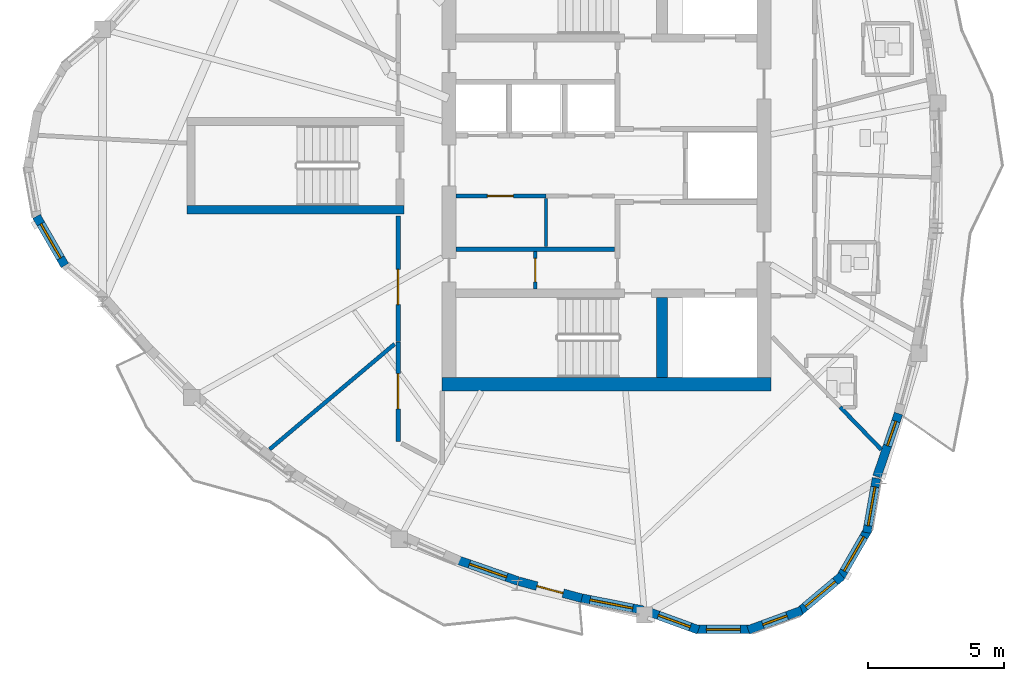
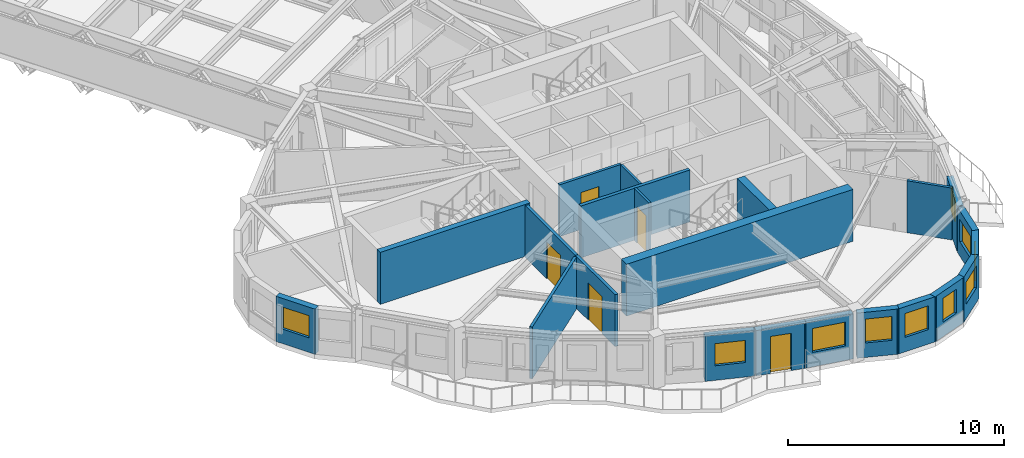
# One storey, part 5 of 14: 22 walls, 10 windows, 5 doors, 15 openings.
"""IFC4 building model written with IfcOpenShell, lengths in metres."""

import ifcopenshell
import ifcopenshell.guid

model = None  # the IFC model being written
_history = None  # IfcOwnerHistory: only IFC2X3 demands one
_inside = {}  # id of a spatial element -> (the spatial element, [elements in it])
_under = {}  # id of a project, library or spatial element -> (it, [spatial elements below it])
_declared = {}  # id of a project -> (the project, [libraries it declares])
_typed = {}  # id of a type object -> (the type object, [elements of that type])
_made_of = {}  # id of a material, layer set ... -> (it, [elements and type objects made of it])


def new_model(schema):
    """Start an empty IFC model of exactly this schema.

    Asked for "IFC4X3", IfcOpenShell would pick the latest addendum, in which some entities
    have other attributes; the version numbers below select the first issue.
    IFC2X3 requires an IfcOwnerHistory on every rooted entity: one is made here for all.
    """
    global model, _history
    if schema == "IFC4X3":
        model = ifcopenshell.file(schema_version=(4, 3, 0, 0))
    else:
        model = ifcopenshell.file(schema=schema)
    _inside.clear()
    _under.clear()
    _declared.clear()
    _typed.clear()
    _made_of.clear()
    _history = None
    if model.schema == "IFC2X3":
        org = make("IfcOrganization", Name="unknown")
        user = make(
            "IfcPersonAndOrganization",
            ThePerson=make("IfcPerson", FamilyName="unknown"),
            TheOrganization=org,
        )
        app = make(
            "IfcApplication",
            ApplicationDeveloper=org,
            Version="unknown",
            ApplicationFullName="unknown",
            ApplicationIdentifier="unknown",
        )
        _history = make(
            "IfcOwnerHistory",
            OwningUser=user,
            OwningApplication=app,
            ChangeAction="ADDED",
            CreationDate=0,
        )
    return model


def make(cls, **values):
    """One entity of the class cls with the attributes given. An attribute that is None is left unset."""
    return model.create_entity(
        cls, **{name: value for name, value in values.items() if value is not None}
    )


def rooted(cls, **values):
    """An entity with a GlobalId (a new one), such as an element, a storey or a relation."""
    return make(cls, GlobalId=ifcopenshell.guid.new(), OwnerHistory=_history, **values)


def si_unit(unit_type, name, prefix=None):
    """IfcSIUnit, for example si_unit("LENGTHUNIT", "METRE", prefix="MILLI")."""
    return make("IfcSIUnit", UnitType=unit_type, Prefix=prefix, Name=name)


def assignment(units):
    """IfcUnitAssignment: the units of a project."""
    return None if units is None else make("IfcUnitAssignment", Units=units)


def point(xyz):
    """IfcCartesianPoint."""
    return None if xyz is None else make("IfcCartesianPoint", Coordinates=xyz)


def direction(xyz):
    """IfcDirection."""
    return None if xyz is None else make("IfcDirection", DirectionRatios=xyz)


def frame(location, z_axis=None, x_axis=None):
    """IfcAxis2Placement3D, a coordinate frame: its origin and axes. An axis left out is left unset."""
    return make(
        "IfcAxis2Placement3D",
        Location=point(location),
        Axis=direction(z_axis),
        RefDirection=direction(x_axis),
    )


def frame_2d(location, x_axis=None):
    """IfcAxis2Placement2D, a coordinate frame in the plane: its origin and x axis."""
    return make(
        "IfcAxis2Placement2D", Location=point(location), RefDirection=direction(x_axis)
    )


def origin():
    """The frame at (0, 0, 0) with its axes left unset."""
    return frame((0.0, 0.0, 0.0))


def place(relative_to, where):
    """IfcLocalPlacement: puts the frame where relative to a parent placement (None: the world)."""
    return make(
        "IfcLocalPlacement", PlacementRelTo=relative_to, RelativePlacement=where
    )


def context(
    kind, dimensions, precision=None, world=None, true_north=None, identifier=None
):
    """IfcGeometricRepresentationContext, for example the 3D "Model" context."""
    return make(
        "IfcGeometricRepresentationContext",
        ContextIdentifier=identifier,
        ContextType=kind,
        CoordinateSpaceDimension=dimensions,
        Precision=precision,
        WorldCoordinateSystem=world,
        TrueNorth=true_north,
    )


def subcontext(parent, identifier, kind, view, scale=None):
    """IfcGeometricRepresentationSubContext, for example "Body" below "Model"."""
    return make(
        "IfcGeometricRepresentationSubContext",
        ContextIdentifier=identifier,
        ContextType=kind,
        ParentContext=parent,
        TargetScale=scale,
        TargetView=view,
    )


def project(units=None, contexts=None):
    """IfcProject with its units and contexts."""
    return rooted(
        "IfcProject",
        Name="project",
        RepresentationContexts=contexts,
        UnitsInContext=assignment(units),
    )


def spatial(cls, under=None, at=None, **own):
    """A site, building, storey or space (cls), placed at a placement, below another one or the project."""
    s = rooted(cls, ObjectPlacement=at, **own)
    if under is not None:
        _under.setdefault(under.id(), (under, []))[1].append(s)
    return s


def profile(cls, at=None, kind="AREA", **sizes):
    """A parametric profile (cls). Its sizes go by their IFC names, for example OverallWidth=200.0."""
    return make(cls, ProfileType=kind, Position=at, **sizes)


def rectangle(**sizes):
    """IfcRectangleProfileDef."""
    return profile("IfcRectangleProfileDef", **sizes)


def extrude(swept, where, along, depth):
    """IfcExtrudedAreaSolid: the profile swept, set in the frame where, extruded along a direction by depth."""
    return make(
        "IfcExtrudedAreaSolid",
        SweptArea=swept,
        Position=where,
        ExtrudedDirection=direction(along),
        Depth=depth,
    )


def shape(context_of_items, identifier, shape_type, items):
    """IfcShapeRepresentation: the items that make up one representation, for example the "Body"."""
    return make(
        "IfcShapeRepresentation",
        ContextOfItems=context_of_items,
        RepresentationIdentifier=identifier,
        RepresentationType=shape_type,
        Items=items,
    )


def source(mapping_origin, context_of_items, identifier, shape_type, items):
    """IfcRepresentationMap: a shape defined once, which mapped items show again and again."""
    return make(
        "IfcRepresentationMap",
        MappingOrigin=mapping_origin,
        MappedRepresentation=shape(context_of_items, identifier, shape_type, items),
    )


def transform(
    local_origin,
    x_axis=None,
    y_axis=None,
    z_axis=None,
    scale=None,
    scale2=None,
    scale3=None,
    uniform=True,
):
    """IfcCartesianTransformationOperator3D, or its non-uniform kind. x_axis, y_axis, z_axis: its Axis1, 2, 3."""
    if uniform:
        return make(
            "IfcCartesianTransformationOperator3D",
            Axis1=direction(x_axis),
            Axis2=direction(y_axis),
            LocalOrigin=point(local_origin),
            Scale=scale,
            Axis3=direction(z_axis),
        )
    return make(
        "IfcCartesianTransformationOperator3DnonUniform",
        Axis1=direction(x_axis),
        Axis2=direction(y_axis),
        LocalOrigin=point(local_origin),
        Scale=scale,
        Axis3=direction(z_axis),
        Scale2=scale2,
        Scale3=scale3,
    )


def mapped(mapping_source, mapping_target):
    """IfcMappedItem: shows the shape of a source again, moved by a transform."""
    return make(
        "IfcMappedItem", MappingSource=mapping_source, MappingTarget=mapping_target
    )


def material(Name=None, Category=None):
    """IfcMaterial."""
    return make("IfcMaterial", Name=Name, Category=Category)


def layer(
    of_material, thickness, ventilated=None, Name=None, Category=None, Priority=None
):
    """IfcMaterialLayer: one layer of a wall or slab, of a material (None: an air gap)."""
    return make(
        "IfcMaterialLayer",
        Material=of_material,
        LayerThickness=thickness,
        IsVentilated=ventilated,
        Name=Name,
        Category=Category,
        Priority=Priority,
    )


def layer_set(layers, Name=None):
    """IfcMaterialLayerSet."""
    return make("IfcMaterialLayerSet", MaterialLayers=layers, LayerSetName=Name)


def made_of(thing, what):
    """Note that an element or type object is made of a material, layer set ...; save() writes the relation."""
    if what is not None:
        _made_of.setdefault(what.id(), (what, []))[1].append(thing)
    return thing


def type_object(cls, material=None, **own):
    """A type object (cls), such as IfcWallType, which elements share."""
    return made_of(rooted(cls, **own), material)


def element(
    cls,
    number,
    at=None,
    inside=None,
    cuts=None,
    type_object=None,
    material=None,
    context=None,
    identifier="Body",
    shape_type=None,
    held_by="IfcProductDefinitionShape",
    body=None,
    shapes=None,
    **own,
):
    """One element of the class cls, such as IfcWall. Its Tag is "e" and its number.

    at: its placement. inside: the storey or other place that contains it. cuts: it is an
    opening in that element (IfcRelVoidsElement). A single representation is given by context,
    identifier, shape_type and body (its items); several are given by shapes. held_by: the class
    of the entity that holds the representations. save() writes the other relations.
    """
    e = rooted(cls, Tag="e%d" % number, ObjectPlacement=at, **own)
    if body is not None:
        shapes = [shape(context, identifier, shape_type, body)]
    if shapes is not None:
        e.Representation = make(held_by, Representations=shapes)
    if inside is not None:
        _inside.setdefault(inside.id(), (inside, []))[1].append(e)
    if cuts is not None:
        rooted(
            "IfcRelVoidsElement", RelatingBuildingElement=cuts, RelatedOpeningElement=e
        )
    if type_object is not None:
        _typed.setdefault(type_object.id(), (type_object, []))[1].append(e)
    return made_of(e, material)


def fill(opening, filler):
    """IfcRelFillsElement: the door or window that sits in an opening."""
    return rooted(
        "IfcRelFillsElement",
        RelatingOpeningElement=opening,
        RelatedBuildingElement=filler,
    )


def aggregate(whole, parts):
    """IfcRelAggregates: a whole, such as a stair, and the parts it consists of."""
    return rooted("IfcRelAggregates", RelatingObject=whole, RelatedObjects=parts)


def save(model, path):
    """Write the relations noted so far, then the file.

    IfcRelAggregates (storeys below a building ...), IfcRelContainedInSpatialStructure (elements
    in a storey), IfcRelDefinesByType, IfcRelAssociatesMaterial and IfcRelDeclares: one each for
    every whole, place, type object, material and project.
    """
    for whole, parts in _under.values():
        aggregate(whole, parts)
    for where, things in _inside.values():
        rooted(
            "IfcRelContainedInSpatialStructure",
            RelatedElements=things,
            RelatingStructure=where,
        )
    for kind, things in _typed.values():
        rooted("IfcRelDefinesByType", RelatedObjects=things, RelatingType=kind)
    for what, things in _made_of.values():
        rooted("IfcRelAssociatesMaterial", RelatedObjects=things, RelatingMaterial=what)
    for by, libraries in _declared.values():
        rooted("IfcRelDeclares", RelatingContext=by, RelatedDefinitions=libraries)
    model.write(path)


model = new_model("IFC4")

# Units and contexts
model_context = context("Model", 3, precision=1e-05, world=origin(), true_north=direction((0.0, 1.0)))
body_context = subcontext(model_context, "Body", "Model", "MODEL_VIEW")
ifc_project = project(units=[si_unit("LENGTHUNIT", "METRE"), si_unit("AREAUNIT", "SQUARE_METRE"), si_unit("VOLUMEUNIT", "CUBIC_METRE"), si_unit("PLANEANGLEUNIT", "RADIAN"), si_unit("MASSUNIT", "GRAM", prefix="KILO")], contexts=[model_context])

# Site, building, storey
site_placement = place(None, origin())
site = spatial("IfcSite", under=ifc_project, at=site_placement, CompositionType="ELEMENT")
building_placement = place(site_placement, origin())
building = spatial("IfcBuilding", under=site, at=building_placement, Name="Qafzar Sky-Pleat Residences", CompositionType="ELEMENT")
storey_placement = place(building_placement, frame((0.0, 0.0, 208.39990234375)))
storey = spatial("IfcBuildingStorey", under=building, at=storey_placement, Name="L62", CompositionType="ELEMENT", Elevation=208.39990234375)

# Wall, opening, door
ifc_material_1 = material(Name="Acoustic gypsum plasterboard partition", Category="gypsum")
ifc_layer_1 = layer(ifc_material_1, 0.159912109375)
ifc_layer_set_1 = layer_set([ifc_layer_1], Name="Acoustic gypsum plasterboard partition")
wall_type_1 = type_object("IfcWallType", Name="PART-COR-160", PredefinedType="PARTITIONING", material=ifc_layer_set_1)
wall_1_placement = place(storey_placement, frame((22.679931640625, 19.52001953125, 0.0), z_axis=(0.0, 0.0, 1.0), x_axis=(0.0, 1.0, 0.0)))
wall_1 = element("IfcWall", 1, at=wall_1_placement, inside=storey, type_object=wall_type_1, Name="L62 Partition Wall PART-L62-PW-004", PredefinedType="PARTITIONING", context=body_context, shape_type="SweptSolid", body=[
    extrude(rectangle(XDim=4.6298828125, YDim=0.159912109375, at=frame_2d((2.31494140625, 0.0))), origin(), (0.0, 0.0, 1.0), 2.93505859375),
])
opening_1_placement = place(wall_1_placement, frame((1.35693359375, 0.0, 0.0)))
opening_1 = element("IfcOpeningElement", 2, at=opening_1_placement, cuts=wall_1, Name="Opening ID-05", PredefinedType="OPENING", context=body_context, shape_type="SweptSolid", body=[
    extrude(rectangle(XDim=1.300048828125, YDim=2.10009765625, at=frame_2d((0.64990234375, 1.050048828125))), frame((0.0, 0.08984375, 0.0), z_axis=(0.0, -1.0, 0.0), x_axis=(1.0, 0.0, 0.0)), (0.0, 0.0, 1.0), 0.179931640625),
])
ifc_material_2 = material(Name="Timber-faced fire door", Category="wood")
door_type_1 = type_object("IfcDoorType", Name="DR-LNG-1300", OperationType="DOUBLE_DOOR_SINGLE_SWING", PredefinedType="DOOR", material=ifc_material_2)
shared_shape_1 = source(origin(), body_context, "Body", "SweptSolid", [
    extrude(rectangle(XDim=1.300048828125, YDim=2.10009765625, at=frame_2d((0.64990234375, 1.050048828125))), frame((0.0, 0.02490234375, 0.0), z_axis=(0.0, -1.0, 0.0), x_axis=(1.0, 0.0, 0.0)), (0.0, 0.0, 1.0), 0.050048828125),
])
door_1_placement = place(opening_1_placement, origin())
door_1 = element("IfcDoor", 3, at=door_1_placement, inside=storey, type_object=door_type_1, Name="L62 Tutorial Huddle Room Door", OperationType="DOUBLE_DOOR_SINGLE_SWING", OverallHeight=2.10009765625, OverallWidth=1.300048828125, PredefinedType="DOOR", context=body_context, shape_type="MappedRepresentation", body=[
    mapped(shared_shape_1, transform((0.0, 0.0, 0.0), x_axis=(1.0, 0.0, 0.0), y_axis=(0.0, 1.0, 0.0), z_axis=(0.0, 0.0, 1.0), scale=1.0)),
])
fill(opening_1, door_1)

wall_2_placement = place(storey_placement, frame((22.679931640625, 19.5048828125, 0.0), z_axis=(0.0, 0.0, 1.0), x_axis=(0.0, -1.0, 0.0)))
wall_2 = element("IfcWall", 4, at=wall_2_placement, inside=storey, type_object=wall_type_1, Name="L62 Partition Wall PART-L62-PW-007", PredefinedType="PARTITIONING", context=body_context, shape_type="SweptSolid", body=[
    extrude(rectangle(XDim=3.66796875, YDim=0.159912109375, at=frame_2d((1.833984375, 0.0))), origin(), (0.0, 0.0, 1.0), 2.93505859375),
])
opening_2_placement = place(wall_2_placement, frame((1.1669921875, 0.0, 0.0)))
opening_2 = element("IfcOpeningElement", 5, at=opening_2_placement, cuts=wall_2, Name="Opening ID-05", PredefinedType="OPENING", context=body_context, shape_type="SweptSolid", body=[
    extrude(rectangle(XDim=1.300048828125, YDim=2.10009765625, at=frame_2d((0.64990234375, 1.050048828125))), frame((0.0, 0.08984375, 0.0), z_axis=(0.0, -1.0, 0.0), x_axis=(1.0, 0.0, 0.0)), (0.0, 0.0, 1.0), 0.179931640625),
])
door_2_placement = place(opening_2_placement, origin())
door_2 = element("IfcDoor", 6, at=door_2_placement, inside=storey, type_object=door_type_1, Name="L62 Academic Seminar Room Door", OperationType="DOUBLE_DOOR_SINGLE_SWING", OverallHeight=2.10009765625, OverallWidth=1.300048828125, PredefinedType="DOOR", context=body_context, shape_type="MappedRepresentation", body=[
    mapped(shared_shape_1, transform((0.0, 0.0, 0.0), x_axis=(1.0, 0.0, 0.0), y_axis=(0.0, 1.0, 0.0), z_axis=(0.0, 0.0, 1.0), scale=1.0)),
])
fill(opening_2, door_2)

# Walls
ifc_material_3 = material(Name="Concrete blockwork partition", Category="masonry")
ifc_layer_2 = layer(ifc_material_3, 0.179931640625)
ifc_layer_set_2 = layer_set([ifc_layer_2], Name="Concrete blockwork partition")
wall_type_2 = type_object("IfcWallType", Name="PART-SHAFT-180", PredefinedType="PARTITIONING", material=ifc_layer_set_2)
wall_3_placement = place(storey_placement, frame((24.81005859375, 22.919921875, 0.0), z_axis=(0.0, 0.0, 1.0), x_axis=(1.0, 0.0, 0.0)))
element("IfcWall", 7, at=wall_3_placement, inside=storey, type_object=wall_type_2, Name="L62 Partition Wall PART-L62-P13-S", PredefinedType="PARTITIONING", context=body_context, shape_type="SweptSolid", body=[
    extrude(rectangle(XDim=5.83984375, YDim=0.179931640625, at=frame_2d((2.919921875, 0.0))), origin(), (0.0, 0.0, 1.0), 2.93505859375),
])
ifc_material_4 = material(Name="Gypsum plasterboard partition", Category="gypsum")
ifc_layer_3 = layer(ifc_material_4, 0.114990234375)
ifc_layer_set_3 = layer_set([ifc_layer_3], Name="Gypsum plasterboard partition")
wall_type_3 = type_object("IfcWallType", Name="PART-SVC-115", PredefinedType="PARTITIONING", material=ifc_layer_set_3)
wall_4_placement = place(storey_placement, frame((28.125, 23.02001953125, 0.0), z_axis=(0.0, 0.0, 1.0), x_axis=(0.0, 1.0, 0.0)))
element("IfcWall", 8, at=wall_4_placement, inside=storey, type_object=wall_type_3, Name="L62 Partition Wall PART-L62-RECLAIM-DIV", PredefinedType="PARTITIONING", context=body_context, shape_type="SweptSolid", body=[
    extrude(rectangle(XDim=1.77001953125, YDim=0.114990234375, at=frame_2d((0.885009765625, 0.0))), origin(), (0.0, 0.0, 1.0), 2.93505859375),
])

# Wall, opening, door
wall_5_placement = place(storey_placement, frame((27.72509765625, 21.4599609375, 0.0), z_axis=(0.0, 0.0, 1.0), x_axis=(0.0, 1.0, 0.0)))
wall_5 = element("IfcWall", 9, at=wall_5_placement, inside=storey, type_object=wall_type_3, Name="L62 Partition Wall PART-L62-KB-SW", PredefinedType="PARTITIONING", context=body_context, shape_type="SweptSolid", body=[
    extrude(rectangle(XDim=1.380126953125, YDim=0.114990234375, at=frame_2d((0.68994140625, 0.0))), origin(), (0.0, 0.0, 1.0), 2.93505859375),
])
opening_3_placement = place(wall_5_placement, frame((0.260009765625, 0.0, 0.0)))
opening_3 = element("IfcOpeningElement", 10, at=opening_3_placement, cuts=wall_5, Name="Opening ID-09", PredefinedType="OPENING", context=body_context, shape_type="SweptSolid", body=[
    extrude(rectangle(XDim=0.860107421875, YDim=2.050048828125, at=frame_2d((0.43017578125, 1.02490234375))), frame((0.0, 0.0673828125, 0.0), z_axis=(0.0, -1.0, 0.0), x_axis=(1.0, 0.0, 0.0)), (0.0, 0.0, 1.0), 0.135009765625),
])
door_type_2 = type_object("IfcDoorType", Name="DR-SVC-860", OperationType="NOTDEFINED", PredefinedType="DOOR", material=ifc_material_2)
shared_shape_2 = source(origin(), body_context, "Body", "SweptSolid", [
    extrude(rectangle(XDim=0.860107421875, YDim=2.050048828125, at=frame_2d((0.43017578125, 1.02490234375))), frame((0.0, 0.02490234375, 0.0), z_axis=(0.0, -1.0, 0.0), x_axis=(1.0, 0.0, 0.0)), (0.0, 0.0, 1.0), 0.050048828125),
])
door_3_placement = place(opening_3_placement, origin())
door_3 = element("IfcDoor", 11, at=door_3_placement, inside=storey, type_object=door_type_2, Name="L62 BMS Metering Cupboard Door", OperationType="SINGLE_SWING_LEFT", OverallHeight=2.050048828125, OverallWidth=0.860107421875, PredefinedType="DOOR", context=body_context, shape_type="MappedRepresentation", body=[
    mapped(shared_shape_2, transform((0.0, 0.0, 0.0), x_axis=(1.0, 0.0, 0.0), y_axis=(0.0, 1.0, 0.0), z_axis=(0.0, 0.0, 1.0), scale=1.0)),
])
fill(opening_3, door_3)

ifc_layer_4 = layer(ifc_material_1, 0.14501953125)
ifc_layer_set_4 = layer_set([ifc_layer_4], Name="Acoustic gypsum plasterboard partition")
wall_type_4 = type_object("IfcWallType", Name="PART-UNIT-145", PredefinedType="PARTITIONING", material=ifc_layer_set_4)
wall_6_placement = place(storey_placement, frame((24.81005859375, 24.8798828125, 0.0), z_axis=(0.0, 0.0, 1.0), x_axis=(1.0, 0.0, 0.0)))
wall_6 = element("IfcWall", 12, at=wall_6_placement, inside=storey, type_object=wall_type_4, Name="L62 Partition Wall PART-L62-RECLAIM-N1", PredefinedType="PARTITIONING", context=body_context, shape_type="SweptSolid", body=[
    extrude(rectangle(XDim=3.31005859375, YDim=0.14501953125, at=frame_2d((1.655029296875, 0.0))), origin(), (0.0, 0.0, 1.0), 2.93505859375),
])
opening_4_placement = place(wall_6_placement, frame((1.14990234375, 0.0, 0.0)))
opening_4 = element("IfcOpeningElement", 13, at=opening_4_placement, cuts=wall_6, Name="Opening ID-06", PredefinedType="OPENING", context=body_context, shape_type="SweptSolid", body=[
    extrude(rectangle(XDim=0.9599609375, YDim=2.10009765625, at=frame_2d((0.47998046875, 1.050048828125))), frame((0.0, 0.08251953125, 0.0), z_axis=(0.0, -1.0, 0.0), x_axis=(1.0, 0.0, 0.0)), (0.0, 0.0, 1.0), 0.1650390625),
])
door_type_3 = type_object("IfcDoorType", Name="DR-STD-960", OperationType="NOTDEFINED", PredefinedType="DOOR", material=ifc_material_2)
shared_shape_3 = source(origin(), body_context, "Body", "SweptSolid", [
    extrude(rectangle(XDim=0.9599609375, YDim=2.10009765625, at=frame_2d((0.47998046875, 1.050048828125))), frame((0.0, 0.02490234375, 0.0), z_axis=(0.0, -1.0, 0.0), x_axis=(1.0, 0.0, 0.0)), (0.0, 0.0, 1.0), 0.050048828125),
])
door_4_placement = place(opening_4_placement, origin())
door_4 = element("IfcDoor", 14, at=door_4_placement, inside=storey, type_object=door_type_3, Name="L62 Reclaimed Quiet Study Room Door", OperationType="SINGLE_SWING_LEFT", OverallHeight=2.10009765625, OverallWidth=0.9599609375, PredefinedType="DOOR", context=body_context, shape_type="MappedRepresentation", body=[
    mapped(shared_shape_3, transform((0.0, 0.0, 0.0), x_axis=(1.0, 0.0, 0.0), y_axis=(0.0, 1.0, 0.0), z_axis=(0.0, 0.0, 1.0), scale=1.0)),
])
fill(opening_4, door_4)

# Walls
wall_7_placement = place(storey_placement, frame((17.9482421875, 15.552978515625, 0.0), z_axis=(0.0, 0.0, 1.0), x_axis=(0.764805901006, 0.644260765364, 0.0)))
element("IfcWall", 15, at=wall_7_placement, inside=storey, type_object=wall_type_4, Name="L62 Partition Wall PART-L62-PW-019", PredefinedType="PARTITIONING", context=body_context, shape_type="SweptSolid", body=[
    extrude(rectangle(XDim=6.01318359375, YDim=0.14501953125, at=frame_2d((3.006591796875, 0.0))), origin(), (0.0, 0.0, 1.0), 2.93505859375),
])
wall_8_placement = place(storey_placement, frame((38.950927734375, 17.10888671875, 0.0), z_axis=(0.0, 0.0, 1.0), x_axis=(0.695195716836, -0.718820502833, 0.0)))
element("IfcWall", 16, at=wall_8_placement, inside=storey, type_object=wall_type_4, Name="L62 Partition Wall PART-L62-PW-031", PredefinedType="PARTITIONING", context=body_context, shape_type="SweptSolid", body=[
    extrude(rectangle(XDim=2.180419921875, YDim=0.14501953125, at=frame_2d((1.09033203125, 0.0))), origin(), (0.0, 0.0, 1.0), 2.93505859375),
])

# Wall, opening, window
ifc_material_5 = material(Name="Precast concrete C40/50 with honed Riyadh limestone", Category="concrete")
ifc_layer_5 = layer(ifc_material_5, 0.320068359375)
ifc_layer_set_5 = layer_set([ifc_layer_5], Name="Precast concrete C40/50 with honed Riyadh limestone")
wall_type_5 = type_object("IfcWallType", Name="WALL-EXT-320", PredefinedType="SOLIDWALL", material=ifc_layer_set_5)
wall_9_placement = place(storey_placement, frame((9.364501953125, 24.129150390625, 0.0), z_axis=(0.0, 0.0, 1.0), x_axis=(0.49990781971, -0.866078617559, 0.0)))
wall_9 = element("IfcWall", 17, at=wall_9_placement, inside=storey, type_object=wall_type_5, Name="L62 Limestone Facade Wall 5", PredefinedType="SOLIDWALL", context=body_context, shape_type="SweptSolid", body=[
    extrude(rectangle(XDim=2.09033203125, YDim=0.320068359375, at=frame_2d((1.045166015625, 0.0))), origin(), (0.0, 0.0, 1.0), 2.55517578125),
])
opening_5_placement = place(wall_9_placement, frame((0.3203125, 0.0, 0.820068359375)))
opening_5 = element("IfcOpeningElement", 18, at=opening_5_placement, cuts=wall_9, Name="Opening WN-15", PredefinedType="OPENING", context=body_context, shape_type="SweptSolid", body=[
    extrude(rectangle(XDim=1.449951171875, YDim=1.25, at=frame_2d((0.72509765625, 0.625))), frame((0.0, 0.169921875, 0.0), z_axis=(0.0, -1.0, 0.0), x_axis=(1.0, 0.0, 0.0)), (0.0, 0.0, 1.0), 0.340087890625),
])
ifc_material_6 = material(Name="Solar-control low-E glass in bronze aluminium frame", Category="glass")
window_type_1 = type_object("IfcWindowType", Name="WIN-15", PartitioningType="SINGLE_PANEL", PredefinedType="WINDOW", material=ifc_material_6)
shared_shape_4 = source(origin(), body_context, "Body", "SweptSolid", [
    extrude(rectangle(XDim=1.449951171875, YDim=1.25, at=frame_2d((0.72509765625, 0.625))), frame((0.0, 0.030029296875, 0.0), z_axis=(0.0, -1.0, 0.0), x_axis=(1.0, 0.0, 0.0)), (0.0, 0.0, 1.0), 0.06005859375),
])
window_1_placement = place(opening_5_placement, origin())
window_1 = element("IfcWindow", 19, at=window_1_placement, inside=storey, type_object=window_type_1, Name="L62 Punched Facade Window 05", OverallHeight=1.25, OverallWidth=1.449951171875, PartitioningType="SINGLE_PANEL", PredefinedType="WINDOW", context=body_context, shape_type="MappedRepresentation", body=[
    mapped(shared_shape_4, transform((0.0, 0.0, 0.0), x_axis=(1.0, 0.0, 0.0), y_axis=(0.0, 1.0, 0.0), z_axis=(0.0, 0.0, 1.0), scale=1.0)),
])
fill(opening_5, window_1)

wall_10_placement = place(storey_placement, frame((24.86279296875, 11.482421875, 0.0), z_axis=(0.0, 0.0, 1.0), x_axis=(0.944115731475, -0.329614146514, 0.0)))
wall_10 = element("IfcWall", 20, at=wall_10_placement, inside=storey, type_object=wall_type_5, Name="L62 Limestone Facade Wall 14", PredefinedType="SOLIDWALL", context=body_context, shape_type="SweptSolid", body=[
    extrude(rectangle(XDim=2.363525390625, YDim=0.320068359375, at=frame_2d((1.181640625, 0.0))), origin(), (0.0, 0.0, 1.0), 2.55517578125),
])
opening_6_placement = place(wall_10_placement, frame((0.466796875, 0.0, 0.820068359375)))
opening_6 = element("IfcOpeningElement", 21, at=opening_6_placement, cuts=wall_10, Name="Opening WN-15", PredefinedType="OPENING", context=body_context, shape_type="SweptSolid", body=[
    extrude(rectangle(XDim=1.449951171875, YDim=1.25, at=frame_2d((0.72509765625, 0.625))), frame((0.0, 0.169921875, 0.0), z_axis=(0.0, -1.0, 0.0), x_axis=(1.0, 0.0, 0.0)), (0.0, 0.0, 1.0), 0.340087890625),
])
window_2_placement = place(opening_6_placement, origin())
window_2 = element("IfcWindow", 22, at=window_2_placement, inside=storey, type_object=window_type_1, Name="L62 Punched Facade Window 14", OverallHeight=1.25, OverallWidth=1.449951171875, PartitioningType="SINGLE_PANEL", PredefinedType="WINDOW", context=body_context, shape_type="MappedRepresentation", body=[
    mapped(shared_shape_4, transform((0.0, 0.0, 0.0), x_axis=(1.0, 0.0, 0.0), y_axis=(0.0, 1.0, 0.0), z_axis=(0.0, 0.0, 1.0), scale=1.0)),
])
fill(opening_6, window_2)

# Wall, opening, door
wall_11_placement = place(storey_placement, frame((27.121337890625, 10.695068359375, 0.0), z_axis=(0.0, 0.0, 1.0), x_axis=(0.965442888538, -0.26061471365, 0.0)))
wall_11 = element("IfcWall", 23, at=wall_11_placement, inside=storey, type_object=wall_type_5, Name="L62 Limestone Facade Wall 15", PredefinedType="SOLIDWALL", context=body_context, shape_type="SweptSolid", body=[
    extrude(rectangle(XDim=2.40283203125, YDim=0.320068359375, at=frame_2d((1.201416015625, 0.0))), origin(), (0.0, 0.0, 1.0), 2.55517578125),
])
opening_7_placement = place(wall_11_placement, frame((0.69140625, 0.0, 0.0)))
opening_7 = element("IfcOpeningElement", 24, at=opening_7_placement, cuts=wall_11, Name="Opening ED-05", PredefinedType="OPENING", context=body_context, shape_type="SweptSolid", body=[
    extrude(rectangle(XDim=1.0, YDim=2.10009765625, at=frame_2d((0.5, 1.050048828125))), frame((0.0, 0.169921875, 0.0), z_axis=(0.0, -1.0, 0.0), x_axis=(1.0, 0.0, 0.0)), (0.0, 0.0, 1.0), 0.340087890625),
])
ifc_material_7 = material(Name="Glazed bronze aluminium door", Category="aluminium")
door_type_4 = type_object("IfcDoorType", Name="DR-BAL-1000", OperationType="NOTDEFINED", PredefinedType="DOOR", material=ifc_material_7)
shared_shape_5 = source(origin(), body_context, "Body", "SweptSolid", [
    extrude(rectangle(XDim=1.0, YDim=2.10009765625, at=frame_2d((0.5, 1.050048828125))), frame((0.0, 0.02490234375, 0.0), z_axis=(0.0, -1.0, 0.0), x_axis=(1.0, 0.0, 0.0)), (0.0, 0.0, 1.0), 0.050048828125),
])
door_5_placement = place(opening_7_placement, origin())
door_5 = element("IfcDoor", 25, at=door_5_placement, inside=storey, type_object=door_type_4, Name="L62 Glazed Balcony Door 2", OperationType="SINGLE_SWING_LEFT", OverallHeight=2.10009765625, OverallWidth=1.0, PredefinedType="DOOR", context=body_context, shape_type="MappedRepresentation", body=[
    mapped(shared_shape_5, transform((0.0, 0.0, 0.0), x_axis=(1.0, 0.0, 0.0), y_axis=(0.0, 1.0, 0.0), z_axis=(0.0, 0.0, 1.0), scale=1.0)),
])
fill(opening_7, door_5)

# Wall, opening, window
wall_12_placement = place(storey_placement, frame((29.356201171875, 10.088623046875, 0.0), z_axis=(0.0, 0.0, 1.0), x_axis=(0.98122529052, -0.192865054494, 0.0)))
wall_12 = element("IfcWall", 26, at=wall_12_placement, inside=storey, type_object=wall_type_5, Name="L62 Limestone Facade Wall 16", PredefinedType="SOLIDWALL", context=body_context, shape_type="SweptSolid", body=[
    extrude(rectangle(XDim=2.383544921875, YDim=0.320068359375, at=frame_2d((1.19189453125, 0.0))), origin(), (0.0, 0.0, 1.0), 2.55517578125),
])
opening_8_placement = place(wall_12_placement, frame((0.396728515625, 0.0, 0.820068359375)))
opening_8 = element("IfcOpeningElement", 27, at=opening_8_placement, cuts=wall_12, Name="Opening WN-09", PredefinedType="OPENING", context=body_context, shape_type="SweptSolid", body=[
    extrude(rectangle(XDim=1.60009765625, YDim=1.35009765625, at=frame_2d((0.800048828125, 0.675048828125))), frame((0.0, 0.169921875, 0.0), z_axis=(0.0, -1.0, 0.0), x_axis=(1.0, 0.0, 0.0)), (0.0, 0.0, 1.0), 0.340087890625),
])
window_type_2 = type_object("IfcWindowType", Name="WIN-09", PartitioningType="DOUBLE_PANEL_VERTICAL", PredefinedType="WINDOW", material=ifc_material_6)
shared_shape_6 = source(origin(), body_context, "Body", "SweptSolid", [
    extrude(rectangle(XDim=1.60009765625, YDim=1.35009765625, at=frame_2d((0.800048828125, 0.675048828125))), frame((0.0, 0.030029296875, 0.0), z_axis=(0.0, -1.0, 0.0), x_axis=(1.0, 0.0, 0.0)), (0.0, 0.0, 1.0), 0.06005859375),
])
window_3_placement = place(opening_8_placement, origin())
window_3 = element("IfcWindow", 28, at=window_3_placement, inside=storey, type_object=window_type_2, Name="L62 Punched Facade Window 16", OverallHeight=1.35009765625, OverallWidth=1.60009765625, PartitioningType="SINGLE_PANEL", PredefinedType="WINDOW", context=body_context, shape_type="MappedRepresentation", body=[
    mapped(shared_shape_6, transform((0.0, 0.0, 0.0), x_axis=(1.0, 0.0, 0.0), y_axis=(0.0, 1.0, 0.0), z_axis=(0.0, 0.0, 1.0), scale=1.0)),
])
fill(opening_8, window_3)

wall_13_placement = place(storey_placement, frame((31.891845703125, 9.57421875, 0.0), z_axis=(0.0, 0.0, 1.0), x_axis=(0.939680751434, -0.342052752343, 0.0)))
wall_13 = element("IfcWall", 29, at=wall_13_placement, inside=storey, type_object=wall_type_5, Name="L62 Limestone Facade Wall 17", PredefinedType="SOLIDWALL", context=body_context, shape_type="SweptSolid", body=[
    extrude(rectangle(XDim=1.962158203125, YDim=0.320068359375, at=frame_2d((0.98095703125, 0.0))), origin(), (0.0, 0.0, 1.0), 2.55517578125),
])
opening_9_placement = place(wall_13_placement, frame((0.39111328125, 0.0, 0.820068359375)))
opening_9 = element("IfcOpeningElement", 30, at=opening_9_placement, cuts=wall_13, Name="Opening WN-11", PredefinedType="OPENING", context=body_context, shape_type="SweptSolid", body=[
    extrude(rectangle(XDim=1.25, YDim=1.35009765625, at=frame_2d((0.625, 0.675048828125))), frame((0.0, 0.169921875, 0.0), z_axis=(0.0, -1.0, 0.0), x_axis=(1.0, 0.0, 0.0)), (0.0, 0.0, 1.0), 0.340087890625),
])
window_type_3 = type_object("IfcWindowType", Name="WIN-11", PartitioningType="SINGLE_PANEL", PredefinedType="WINDOW", material=ifc_material_6)
shared_shape_7 = source(origin(), body_context, "Body", "SweptSolid", [
    extrude(rectangle(XDim=1.25, YDim=1.35009765625, at=frame_2d((0.625, 0.675048828125))), frame((0.0, 0.030029296875, 0.0), z_axis=(0.0, -1.0, 0.0), x_axis=(1.0, 0.0, 0.0)), (0.0, 0.0, 1.0), 0.06005859375),
])
window_4_placement = place(opening_9_placement, origin())
window_4 = element("IfcWindow", 31, at=window_4_placement, inside=storey, type_object=window_type_3, Name="L62 Punched Facade Window 17", OverallHeight=1.35009765625, OverallWidth=1.25, PartitioningType="SINGLE_PANEL", PredefinedType="WINDOW", context=body_context, shape_type="MappedRepresentation", body=[
    mapped(shared_shape_7, transform((0.0, 0.0, 0.0), x_axis=(1.0, 0.0, 0.0), y_axis=(0.0, 1.0, 0.0), z_axis=(0.0, 0.0, 1.0), scale=1.0)),
])
fill(opening_9, window_4)

wall_14_placement = place(storey_placement, frame((33.607421875, 8.925537109375, 0.0), z_axis=(0.0, 0.0, 1.0), x_axis=(1.0, 0.0, 0.0)))
wall_14 = element("IfcWall", 32, at=wall_14_placement, inside=storey, type_object=wall_type_5, Name="L62 Limestone Facade Wall 18", PredefinedType="SOLIDWALL", context=body_context, shape_type="SweptSolid", body=[
    extrude(rectangle(XDim=2.09033203125, YDim=0.320068359375, at=frame_2d((1.045166015625, 0.0))), origin(), (0.0, 0.0, 1.0), 2.55517578125),
])
opening_10_placement = place(wall_14_placement, frame((0.420166015625, 0.0, 0.820068359375)))
opening_10 = element("IfcOpeningElement", 33, at=opening_10_placement, cuts=wall_14, Name="Opening WN-11", PredefinedType="OPENING", context=body_context, shape_type="SweptSolid", body=[
    extrude(rectangle(XDim=1.25, YDim=1.35009765625, at=frame_2d((0.625, 0.675048828125))), frame((0.0, 0.169921875, 0.0), z_axis=(0.0, -1.0, 0.0), x_axis=(1.0, 0.0, 0.0)), (0.0, 0.0, 1.0), 0.340087890625),
])
window_5_placement = place(opening_10_placement, origin())
window_5 = element("IfcWindow", 34, at=window_5_placement, inside=storey, type_object=window_type_3, Name="L62 Punched Facade Window 18", OverallHeight=1.35009765625, OverallWidth=1.25, PartitioningType="SINGLE_PANEL", PredefinedType="WINDOW", context=body_context, shape_type="MappedRepresentation", body=[
    mapped(shared_shape_7, transform((0.0, 0.0, 0.0), x_axis=(1.0, 0.0, 0.0), y_axis=(0.0, 1.0, 0.0), z_axis=(0.0, 0.0, 1.0), scale=1.0)),
])
fill(opening_10, window_5)

wall_15_placement = place(storey_placement, frame((35.5693359375, 8.903076171875, 0.0), z_axis=(0.0, 0.0, 1.0), x_axis=(0.939697896412, 0.342005648315, 0.0)))
wall_15 = element("IfcWall", 35, at=wall_15_placement, inside=storey, type_object=wall_type_5, Name="L62 Limestone Facade Wall 19", PredefinedType="SOLIDWALL", context=body_context, shape_type="SweptSolid", body=[
    extrude(rectangle(XDim=2.090087890625, YDim=0.320068359375, at=frame_2d((1.044921875, 0.0))), origin(), (0.0, 0.0, 1.0), 2.55517578125),
])
opening_11_placement = place(wall_15_placement, frame((0.5703125, 0.0, 0.820068359375)))
opening_11 = element("IfcOpeningElement", 36, at=opening_11_placement, cuts=wall_15, Name="Opening WN-12", PredefinedType="OPENING", context=body_context, shape_type="SweptSolid", body=[
    extrude(rectangle(XDim=0.949951171875, YDim=1.35009765625, at=frame_2d((0.47509765625, 0.675048828125))), frame((0.0, 0.169921875, 0.0), z_axis=(0.0, -1.0, 0.0), x_axis=(1.0, 0.0, 0.0)), (0.0, 0.0, 1.0), 0.340087890625),
])
window_type_4 = type_object("IfcWindowType", Name="WIN-12", PartitioningType="SINGLE_PANEL", PredefinedType="WINDOW", material=ifc_material_6)
shared_shape_8 = source(origin(), body_context, "Body", "SweptSolid", [
    extrude(rectangle(XDim=0.949951171875, YDim=1.35009765625, at=frame_2d((0.47509765625, 0.675048828125))), frame((0.0, 0.030029296875, 0.0), z_axis=(0.0, -1.0, 0.0), x_axis=(1.0, 0.0, 0.0)), (0.0, 0.0, 1.0), 0.06005859375),
])
window_6_placement = place(opening_11_placement, origin())
window_6 = element("IfcWindow", 37, at=window_6_placement, inside=storey, type_object=window_type_4, Name="L62 Punched Facade Window 19", OverallHeight=1.35009765625, OverallWidth=0.949951171875, PartitioningType="SINGLE_PANEL", PredefinedType="WINDOW", context=body_context, shape_type="MappedRepresentation", body=[
    mapped(shared_shape_8, transform((0.0, 0.0, 0.0), x_axis=(1.0, 0.0, 0.0), y_axis=(0.0, 1.0, 0.0), z_axis=(0.0, 0.0, 1.0), scale=1.0)),
])
fill(opening_11, window_6)

wall_16_placement = place(storey_placement, frame((37.42041015625, 9.552734375, 0.0), z_axis=(0.0, 0.0, 1.0), x_axis=(0.766072824549, 0.642753784499, 0.0)))
wall_16 = element("IfcWall", 38, at=wall_16_placement, inside=storey, type_object=wall_type_5, Name="L62 Limestone Facade Wall 20", PredefinedType="SOLIDWALL", context=body_context, shape_type="SweptSolid", body=[
    extrude(rectangle(XDim=2.090576171875, YDim=0.320068359375, at=frame_2d((1.04541015625, 0.0))), origin(), (0.0, 0.0, 1.0), 2.55517578125),
])
opening_12_placement = place(wall_16_placement, frame((0.3203125, 0.0, 0.820068359375)))
opening_12 = element("IfcOpeningElement", 39, at=opening_12_placement, cuts=wall_16, Name="Opening WN-15", PredefinedType="OPENING", context=body_context, shape_type="SweptSolid", body=[
    extrude(rectangle(XDim=1.449951171875, YDim=1.25, at=frame_2d((0.72509765625, 0.625))), frame((0.0, 0.169921875, 0.0), z_axis=(0.0, -1.0, 0.0), x_axis=(1.0, 0.0, 0.0)), (0.0, 0.0, 1.0), 0.340087890625),
])
window_7_placement = place(opening_12_placement, origin())
window_7 = element("IfcWindow", 40, at=window_7_placement, inside=storey, type_object=window_type_1, Name="L62 Punched Facade Window 20", OverallHeight=1.25, OverallWidth=1.449951171875, PartitioningType="SINGLE_PANEL", PredefinedType="WINDOW", context=body_context, shape_type="MappedRepresentation", body=[
    mapped(shared_shape_4, transform((0.0, 0.0, 0.0), x_axis=(1.0, 0.0, 0.0), y_axis=(0.0, 1.0, 0.0), z_axis=(0.0, 0.0, 1.0), scale=1.0)),
])
fill(opening_12, window_7)

wall_17_placement = place(storey_placement, frame((38.93798828125, 10.79638671875, 0.0), z_axis=(0.0, 0.0, 1.0), x_axis=(0.499995423472, 0.866028046028, 0.0)))
wall_17 = element("IfcWall", 41, at=wall_17_placement, inside=storey, type_object=wall_type_5, Name="L62 Limestone Facade Wall 21", PredefinedType="SOLIDWALL", context=body_context, shape_type="SweptSolid", body=[
    extrude(rectangle(XDim=2.09033203125, YDim=0.320068359375, at=frame_2d((1.045166015625, 0.0))), origin(), (0.0, 0.0, 1.0), 2.55517578125),
])
opening_13_placement = place(wall_17_placement, frame((0.320068359375, 0.0, 0.820068359375)))
opening_13 = element("IfcOpeningElement", 42, at=opening_13_placement, cuts=wall_17, Name="Opening WN-15", PredefinedType="OPENING", context=body_context, shape_type="SweptSolid", body=[
    extrude(rectangle(XDim=1.449951171875, YDim=1.25, at=frame_2d((0.72509765625, 0.625))), frame((0.0, 0.169921875, 0.0), z_axis=(0.0, -1.0, 0.0), x_axis=(1.0, 0.0, 0.0)), (0.0, 0.0, 1.0), 0.340087890625),
])
window_8_placement = place(opening_13_placement, origin())
window_8 = element("IfcWindow", 43, at=window_8_placement, inside=storey, type_object=window_type_1, Name="L62 Punched Facade Window 21", OverallHeight=1.25, OverallWidth=1.449951171875, PartitioningType="SINGLE_PANEL", PredefinedType="WINDOW", context=body_context, shape_type="MappedRepresentation", body=[
    mapped(shared_shape_4, transform((0.0, 0.0, 0.0), x_axis=(1.0, 0.0, 0.0), y_axis=(0.0, 1.0, 0.0), z_axis=(0.0, 0.0, 1.0), scale=1.0)),
])
fill(opening_13, window_8)

wall_18_placement = place(storey_placement, frame((39.9384765625, 12.484130859375, 0.0), z_axis=(0.0, 0.0, 1.0), x_axis=(0.17370309897, 0.984798067326, 0.0)))
wall_18 = element("IfcWall", 44, at=wall_18_placement, inside=storey, type_object=wall_type_5, Name="L62 Limestone Facade Wall 22", PredefinedType="SOLIDWALL", context=body_context, shape_type="SweptSolid", body=[
    extrude(rectangle(XDim=2.032470703125, YDim=0.320068359375, at=frame_2d((1.01611328125, 0.0))), origin(), (0.0, 0.0, 1.0), 2.55517578125),
])
opening_14_placement = place(wall_18_placement, frame((0.26123046875, 0.0, 0.820068359375)))
opening_14 = element("IfcOpeningElement", 45, at=opening_14_placement, cuts=wall_18, Name="Opening WN-15", PredefinedType="OPENING", context=body_context, shape_type="SweptSolid", body=[
    extrude(rectangle(XDim=1.449951171875, YDim=1.25, at=frame_2d((0.72509765625, 0.625))), frame((0.0, 0.169921875, 0.0), z_axis=(0.0, -1.0, 0.0), x_axis=(1.0, 0.0, 0.0)), (0.0, 0.0, 1.0), 0.340087890625),
])
window_9_placement = place(opening_14_placement, origin())
window_9 = element("IfcWindow", 46, at=window_9_placement, inside=storey, type_object=window_type_1, Name="L62 Punched Facade Window 22", OverallHeight=1.25, OverallWidth=1.449951171875, PartitioningType="SINGLE_PANEL", PredefinedType="WINDOW", context=body_context, shape_type="MappedRepresentation", body=[
    mapped(shared_shape_4, transform((0.0, 0.0, 0.0), x_axis=(1.0, 0.0, 0.0), y_axis=(0.0, 1.0, 0.0), z_axis=(0.0, 0.0, 1.0), scale=1.0)),
])
fill(opening_14, window_9)

wall_19_placement = place(storey_placement, frame((40.3076171875, 14.548095703125, 0.0), z_axis=(0.0, 0.0, 1.0), x_axis=(0.323591564922, 0.946196860654, 0.0)))
wall_19 = element("IfcWall", 47, at=wall_19_placement, inside=storey, type_object=wall_type_5, Name="L62 Limestone Facade Wall 23", PredefinedType="SOLIDWALL", context=body_context, shape_type="SweptSolid", body=[
    extrude(rectangle(XDim=2.45361328125, YDim=0.320068359375, at=frame_2d((1.226806640625, 0.0))), origin(), (0.0, 0.0, 1.0), 2.55517578125),
])
opening_15_placement = place(wall_19_placement, frame((1.202392578125, 0.0, 0.820068359375)))
opening_15 = element("IfcOpeningElement", 48, at=opening_15_placement, cuts=wall_19, Name="Opening WN-12", PredefinedType="OPENING", context=body_context, shape_type="SweptSolid", body=[
    extrude(rectangle(XDim=0.949951171875, YDim=1.35009765625, at=frame_2d((0.47509765625, 0.675048828125))), frame((0.0, 0.169921875, 0.0), z_axis=(0.0, -1.0, 0.0), x_axis=(1.0, 0.0, 0.0)), (0.0, 0.0, 1.0), 0.340087890625),
])
window_10_placement = place(opening_15_placement, origin())
window_10 = element("IfcWindow", 49, at=window_10_placement, inside=storey, type_object=window_type_4, Name="L62 Punched Facade Window 23-2", OverallHeight=1.35009765625, OverallWidth=0.949951171875, PartitioningType="SINGLE_PANEL", PredefinedType="WINDOW", context=body_context, shape_type="MappedRepresentation", body=[
    mapped(shared_shape_8, transform((0.0, 0.0, 0.0), x_axis=(1.0, 0.0, 0.0), y_axis=(0.0, 1.0, 0.0), z_axis=(0.0, 0.0, 1.0), scale=1.0)),
])
fill(opening_15, window_10)

# Walls
ifc_material_8 = material(Name="Concrete C60/75", Category="concrete")
ifc_layer_6 = layer(ifc_material_8, 0.300048828125)
ifc_layer_set_6 = layer_set([ifc_layer_6], Name="Concrete C60/75")
wall_type_6 = type_object("IfcWallType", Name="WALL-SHEAR-300", PredefinedType="SHEAR", material=ifc_layer_set_6)
wall_20_placement = place(storey_placement, frame((14.89990234375, 24.375, 0.0), z_axis=(0.0, 0.0, 1.0), x_axis=(1.0, 0.0, 0.0)))
element("IfcWall", 50, at=wall_20_placement, inside=storey, type_object=wall_type_6, Name="L62 ST3 wall S", PredefinedType="SHEAR", context=body_context, shape_type="SweptSolid", body=[
    extrude(rectangle(XDim=8.0, YDim=0.300048828125, at=frame_2d((4.0, 0.0))), origin(), (0.0, 0.0, 1.0), 2.93505859375),
])
ifc_layer_7 = layer(ifc_material_8, 0.39990234375)
ifc_layer_set_7 = layer_set([ifc_layer_7], Name="Concrete C60/75")
wall_type_7 = type_object("IfcWallType", Name="WALL-SHEAR-400", PredefinedType="SHEAR", material=ifc_layer_set_7)
wall_21_placement = place(storey_placement, frame((32.39990234375, 18.199951171875, 0.0), z_axis=(0.0, 0.0, 1.0), x_axis=(0.0, 1.0, 0.0)))
element("IfcWall", 51, at=wall_21_placement, inside=storey, type_object=wall_type_7, Name="L62 Stair ST1 East Dividing Wall", PredefinedType="SHEAR", context=body_context, shape_type="SweptSolid", body=[
    extrude(rectangle(XDim=2.949951171875, YDim=0.39990234375, at=frame_2d((1.47509765625, 0.0))), origin(), (0.0, 0.0, 1.0), 2.93505859375),
])
ifc_layer_8 = layer(ifc_material_8, 0.5)
ifc_layer_set_8 = layer_set([ifc_layer_8], Name="Concrete C60/75")
wall_type_8 = type_object("IfcWallType", Name="WALL-SHEAR-500", PredefinedType="SHEAR", material=ifc_layer_set_8)
wall_22_placement = place(storey_placement, frame((24.300048828125, 17.949951171875, 0.0), z_axis=(0.0, 0.0, 1.0), x_axis=(1.0, 0.0, 0.0)))
element("IfcWall", 52, at=wall_22_placement, inside=storey, type_object=wall_type_8, Name="L62 CORE wall S", PredefinedType="SHEAR", context=body_context, shape_type="SweptSolid", body=[
    extrude(rectangle(XDim=12.099853515625, YDim=0.5, at=frame_2d((6.0498046875, 0.0))), origin(), (0.0, 0.0, 1.0), 2.93505859375),
])

save(model, "model.ifc")
